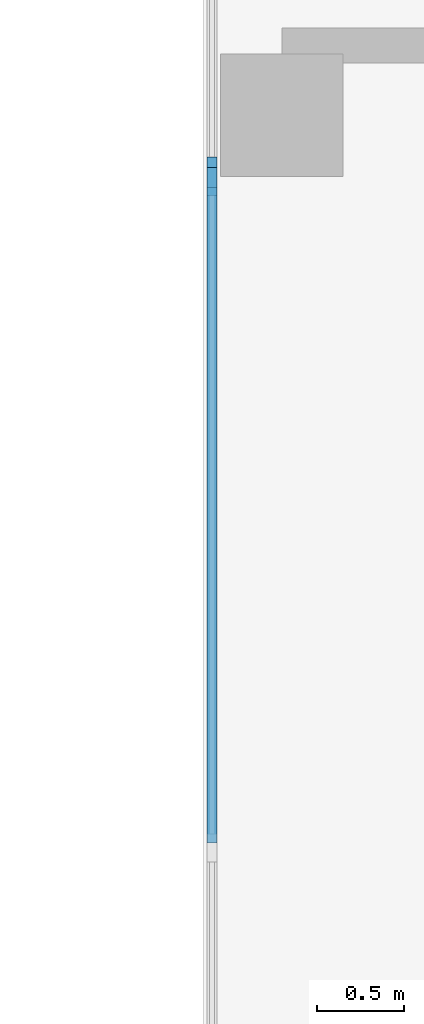
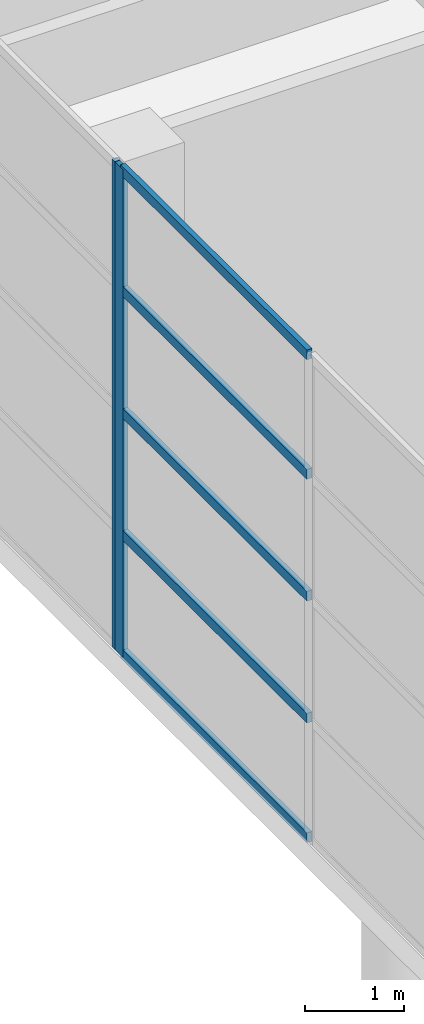
# One storey, part 30 of 210: 7 members, 2 elements without a shape of their own.
"""IFC4 building model written with IfcOpenShell, lengths in metres."""

import ifcopenshell
import ifcopenshell.guid

model = None  # the IFC model being written
_history = None  # IfcOwnerHistory: only IFC2X3 demands one
_inside = {}  # id of a spatial element -> (the spatial element, [elements in it])
_under = {}  # id of a project, library or spatial element -> (it, [spatial elements below it])
_declared = {}  # id of a project -> (the project, [libraries it declares])
_typed = {}  # id of a type object -> (the type object, [elements of that type])
_made_of = {}  # id of a material, layer set ... -> (it, [elements and type objects made of it])


def new_model(schema):
    """Start an empty IFC model of exactly this schema.

    Asked for "IFC4X3", IfcOpenShell would pick the latest addendum, in which some entities
    have other attributes; the version numbers below select the first issue.
    IFC2X3 requires an IfcOwnerHistory on every rooted entity: one is made here for all.
    """
    global model, _history
    if schema == "IFC4X3":
        model = ifcopenshell.file(schema_version=(4, 3, 0, 0))
    else:
        model = ifcopenshell.file(schema=schema)
    _inside.clear()
    _under.clear()
    _declared.clear()
    _typed.clear()
    _made_of.clear()
    _history = None
    if model.schema == "IFC2X3":
        org = make("IfcOrganization", Name="unknown")
        user = make(
            "IfcPersonAndOrganization",
            ThePerson=make("IfcPerson", FamilyName="unknown"),
            TheOrganization=org,
        )
        app = make(
            "IfcApplication",
            ApplicationDeveloper=org,
            Version="unknown",
            ApplicationFullName="unknown",
            ApplicationIdentifier="unknown",
        )
        _history = make(
            "IfcOwnerHistory",
            OwningUser=user,
            OwningApplication=app,
            ChangeAction="ADDED",
            CreationDate=0,
        )
    return model


def make(cls, **values):
    """One entity of the class cls with the attributes given. An attribute that is None is left unset."""
    return model.create_entity(
        cls, **{name: value for name, value in values.items() if value is not None}
    )


def rooted(cls, **values):
    """An entity with a GlobalId (a new one), such as an element, a storey or a relation."""
    return make(cls, GlobalId=ifcopenshell.guid.new(), OwnerHistory=_history, **values)


def si_unit(unit_type, name, prefix=None):
    """IfcSIUnit, for example si_unit("LENGTHUNIT", "METRE", prefix="MILLI")."""
    return make("IfcSIUnit", UnitType=unit_type, Prefix=prefix, Name=name)


def assignment(units):
    """IfcUnitAssignment: the units of a project."""
    return None if units is None else make("IfcUnitAssignment", Units=units)


def point(xyz):
    """IfcCartesianPoint."""
    return None if xyz is None else make("IfcCartesianPoint", Coordinates=xyz)


def direction(xyz):
    """IfcDirection."""
    return None if xyz is None else make("IfcDirection", DirectionRatios=xyz)


def frame(location, z_axis=None, x_axis=None):
    """IfcAxis2Placement3D, a coordinate frame: its origin and axes. An axis left out is left unset."""
    return make(
        "IfcAxis2Placement3D",
        Location=point(location),
        Axis=direction(z_axis),
        RefDirection=direction(x_axis),
    )


def frame_2d(location, x_axis=None):
    """IfcAxis2Placement2D, a coordinate frame in the plane: its origin and x axis."""
    return make(
        "IfcAxis2Placement2D", Location=point(location), RefDirection=direction(x_axis)
    )


def origin():
    """The frame at (0, 0, 0) with its axes left unset."""
    return frame((0.0, 0.0, 0.0))


def origin_2d():
    """The frame at (0, 0) in the plane with its x axis left unset."""
    return frame_2d((0.0, 0.0))


def place(relative_to, where):
    """IfcLocalPlacement: puts the frame where relative to a parent placement (None: the world)."""
    return make(
        "IfcLocalPlacement", PlacementRelTo=relative_to, RelativePlacement=where
    )


def context(
    kind, dimensions, precision=None, world=None, true_north=None, identifier=None
):
    """IfcGeometricRepresentationContext, for example the 3D "Model" context."""
    return make(
        "IfcGeometricRepresentationContext",
        ContextIdentifier=identifier,
        ContextType=kind,
        CoordinateSpaceDimension=dimensions,
        Precision=precision,
        WorldCoordinateSystem=world,
        TrueNorth=true_north,
    )


def subcontext(parent, identifier, kind, view, scale=None):
    """IfcGeometricRepresentationSubContext, for example "Body" below "Model"."""
    return make(
        "IfcGeometricRepresentationSubContext",
        ContextIdentifier=identifier,
        ContextType=kind,
        ParentContext=parent,
        TargetScale=scale,
        TargetView=view,
    )


def project(units=None, contexts=None):
    """IfcProject with its units and contexts."""
    return rooted(
        "IfcProject",
        Name="project",
        RepresentationContexts=contexts,
        UnitsInContext=assignment(units),
    )


def spatial(cls, under=None, at=None, **own):
    """A site, building, storey or space (cls), placed at a placement, below another one or the project."""
    s = rooted(cls, ObjectPlacement=at, **own)
    if under is not None:
        _under.setdefault(under.id(), (under, []))[1].append(s)
    return s


def profile(cls, at=None, kind="AREA", **sizes):
    """A parametric profile (cls). Its sizes go by their IFC names, for example OverallWidth=200.0."""
    return make(cls, ProfileType=kind, Position=at, **sizes)


def rectangle(**sizes):
    """IfcRectangleProfileDef."""
    return profile("IfcRectangleProfileDef", **sizes)


def extrude(swept, where, along, depth):
    """IfcExtrudedAreaSolid: the profile swept, set in the frame where, extruded along a direction by depth."""
    return make(
        "IfcExtrudedAreaSolid",
        SweptArea=swept,
        Position=where,
        ExtrudedDirection=direction(along),
        Depth=depth,
    )


def shape(context_of_items, identifier, shape_type, items):
    """IfcShapeRepresentation: the items that make up one representation, for example the "Body"."""
    return make(
        "IfcShapeRepresentation",
        ContextOfItems=context_of_items,
        RepresentationIdentifier=identifier,
        RepresentationType=shape_type,
        Items=items,
    )


def material(Name=None, Category=None):
    """IfcMaterial."""
    return make("IfcMaterial", Name=Name, Category=Category)


def layer(
    of_material, thickness, ventilated=None, Name=None, Category=None, Priority=None
):
    """IfcMaterialLayer: one layer of a wall or slab, of a material (None: an air gap)."""
    return make(
        "IfcMaterialLayer",
        Material=of_material,
        LayerThickness=thickness,
        IsVentilated=ventilated,
        Name=Name,
        Category=Category,
        Priority=Priority,
    )


def layer_set(layers, Name=None):
    """IfcMaterialLayerSet."""
    return make("IfcMaterialLayerSet", MaterialLayers=layers, LayerSetName=Name)


def material_profile(
    of_material, cross_section, Name=None, Category=None, Priority=None
):
    """IfcMaterialProfile: a cross section and its material."""
    return make(
        "IfcMaterialProfile",
        Name=Name,
        Material=of_material,
        Profile=cross_section,
        Priority=Priority,
        Category=Category,
    )


def profile_set(profiles, Name=None, composite=None):
    """IfcMaterialProfileSet."""
    return make(
        "IfcMaterialProfileSet",
        Name=Name,
        MaterialProfiles=profiles,
        CompositeProfile=composite,
    )


def made_of(thing, what):
    """Note that an element or type object is made of a material, layer set ...; save() writes the relation."""
    if what is not None:
        _made_of.setdefault(what.id(), (what, []))[1].append(thing)
    return thing


def type_object(cls, material=None, **own):
    """A type object (cls), such as IfcWallType, which elements share."""
    return made_of(rooted(cls, **own), material)


def element(
    cls,
    number,
    at=None,
    inside=None,
    cuts=None,
    type_object=None,
    material=None,
    context=None,
    identifier="Body",
    shape_type=None,
    held_by="IfcProductDefinitionShape",
    body=None,
    shapes=None,
    **own,
):
    """One element of the class cls, such as IfcWall. Its Tag is "e" and its number.

    at: its placement. inside: the storey or other place that contains it. cuts: it is an
    opening in that element (IfcRelVoidsElement). A single representation is given by context,
    identifier, shape_type and body (its items); several are given by shapes. held_by: the class
    of the entity that holds the representations. save() writes the other relations.
    """
    e = rooted(cls, Tag="e%d" % number, ObjectPlacement=at, **own)
    if body is not None:
        shapes = [shape(context, identifier, shape_type, body)]
    if shapes is not None:
        e.Representation = make(held_by, Representations=shapes)
    if inside is not None:
        _inside.setdefault(inside.id(), (inside, []))[1].append(e)
    if cuts is not None:
        rooted(
            "IfcRelVoidsElement", RelatingBuildingElement=cuts, RelatedOpeningElement=e
        )
    if type_object is not None:
        _typed.setdefault(type_object.id(), (type_object, []))[1].append(e)
    return made_of(e, material)


def aggregate(whole, parts):
    """IfcRelAggregates: a whole, such as a stair, and the parts it consists of."""
    return rooted("IfcRelAggregates", RelatingObject=whole, RelatedObjects=parts)


def save(model, path):
    """Write the relations noted so far, then the file.

    IfcRelAggregates (storeys below a building ...), IfcRelContainedInSpatialStructure (elements
    in a storey), IfcRelDefinesByType, IfcRelAssociatesMaterial and IfcRelDeclares: one each for
    every whole, place, type object, material and project.
    """
    for whole, parts in _under.values():
        aggregate(whole, parts)
    for where, things in _inside.values():
        rooted(
            "IfcRelContainedInSpatialStructure",
            RelatedElements=things,
            RelatingStructure=where,
        )
    for kind, things in _typed.values():
        rooted("IfcRelDefinesByType", RelatedObjects=things, RelatingType=kind)
    for what, things in _made_of.values():
        rooted("IfcRelAssociatesMaterial", RelatedObjects=things, RelatingMaterial=what)
    for by, libraries in _declared.values():
        rooted("IfcRelDeclares", RelatingContext=by, RelatedDefinitions=libraries)
    model.write(path)


model = new_model("IFC4")

# Units and contexts
model_context = context("Model", 3, precision=1e-05, world=origin(), true_north=direction((0.0, 1.0)))
body_context = subcontext(model_context, "Body", "Model", "MODEL_VIEW")
ifc_project = project(units=[si_unit("LENGTHUNIT", "METRE"), si_unit("AREAUNIT", "SQUARE_METRE"), si_unit("VOLUMEUNIT", "CUBIC_METRE"), si_unit("PLANEANGLEUNIT", "RADIAN"), si_unit("MASSUNIT", "GRAM", prefix="KILO")], contexts=[model_context])

# Site, building, storey
site_placement = place(None, origin())
site = spatial("IfcSite", under=ifc_project, at=site_placement, CompositionType="ELEMENT")
building_placement = place(site_placement, origin())
building = spatial("IfcBuilding", under=site, at=building_placement, Name="Rain Tree Exposition and Congress Centre", CompositionType="ELEMENT")
storey_placement = place(building_placement, origin())
storey = spatial("IfcBuildingStorey", under=building, at=storey_placement, Name="L00", CompositionType="ELEMENT", Elevation=0.0)

# Curtain wall, member
ifc_material_1 = material(Name="Aluminium curtain wall system", Category="aluminium")
ifc_layer = layer(ifc_material_1, 0.10009765625)
ifc_layer_set = layer_set([ifc_layer], Name="Aluminium curtain wall system")
curtain_wall_type = type_object("IfcCurtainWallType", Name="Concourse curtain wall 4200 module", PredefinedType="NOTDEFINED", material=ifc_layer_set)
curtain_wall_1_placement = place(storey_placement, origin())
curtain_wall_1 = element("IfcCurtainWall", 1, at=curtain_wall_1_placement, inside=storey, type_object=curtain_wall_type, Name="Concourse curtain wall CWC30", PredefinedType="NOTDEFINED")
ifc_material_2 = material(Name="Aluminium mullion", Category="aluminium")
ifc_material_profile_1 = material_profile(ifc_material_2, rectangle(XDim=0.06005859375, YDim=0.159912109375, at=origin_2d()), Name="AL 60x160")
ifc_profile_set_1 = profile_set([ifc_material_profile_1], Name="Aluminium mullion")
member_type_1 = type_object("IfcMemberType", Name="Concourse curtain wall mullion 60x160", PredefinedType="MULLION", material=ifc_profile_set_1)
member_1_placement = place(storey_placement, frame((-0.39990234375, 92.02001953125, 0.0), z_axis=(0.0, 0.0, 1.0), x_axis=(-1.0, 0.0, 0.0)))
member_1 = element("IfcMember", 2, at=member_1_placement, type_object=member_type_1, Name="CWC30 mullion 3", PredefinedType="MULLION", context=body_context, shape_type="SweptSolid", body=[
    extrude(rectangle(XDim=0.06005859375, YDim=0.159912109375, at=origin_2d()), origin(), (0.0, 0.0, 1.0), 6.0),
])

curtain_wall_2_placement = place(storey_placement, origin())
curtain_wall_2 = element("IfcCurtainWall", 3, at=curtain_wall_2_placement, inside=storey, type_object=curtain_wall_type, Name="Concourse curtain wall CWC31", PredefinedType="NOTDEFINED")
member_2_placement = place(storey_placement, frame((-0.39990234375, 92.080078125, 0.0), z_axis=(0.0, 0.0, 1.0), x_axis=(-1.0, 0.0, 0.0)))
member_2 = element("IfcMember", 4, at=member_2_placement, type_object=member_type_1, Name="CWC31 mullion 1", PredefinedType="MULLION", context=body_context, shape_type="SweptSolid", body=[
    extrude(rectangle(XDim=0.06005859375, YDim=0.159912109375, at=origin_2d()), origin(), (0.0, 0.0, 1.0), 6.0),
])
aggregate(curtain_wall_2, [member_2])

# Member
ifc_material_3 = material(Name="Aluminium transom", Category="aluminium")
ifc_material_profile_2 = material_profile(ifc_material_3, rectangle(XDim=0.06005859375, YDim=0.1201171875, at=origin_2d()), Name="AL 60x120")
ifc_profile_set_2 = profile_set([ifc_material_profile_2], Name="Aluminium transom")
member_type_2 = type_object("IfcMemberType", Name="Concourse curtain wall transom 60x120", PredefinedType="USERDEFINED", material=ifc_profile_set_2)
member_3_placement = place(storey_placement, frame((-0.39990234375, 88.22998046875, 0.030029296875), z_axis=(0.0, 1.0, 0.0), x_axis=(-1.0, 0.0, 0.0)))
member_3 = element("IfcMember", 5, at=member_3_placement, type_object=member_type_2, Name="CWC30 transom 2.1", ObjectType="TRANSOM", PredefinedType="USERDEFINED", context=body_context, shape_type="SweptSolid", body=[
    extrude(rectangle(XDim=0.06005859375, YDim=0.1201171875, at=origin_2d()), origin(), (0.0, 0.0, 1.0), 3.760009765625),
])

member_4_placement = place(storey_placement, frame((-0.39990234375, 88.22998046875, 1.5), z_axis=(0.0, 1.0, 0.0), x_axis=(-1.0, 0.0, 0.0)))
member_4 = element("IfcMember", 6, at=member_4_placement, type_object=member_type_2, Name="CWC30 transom 2.2", ObjectType="TRANSOM", PredefinedType="USERDEFINED", context=body_context, shape_type="SweptSolid", body=[
    extrude(rectangle(XDim=0.06005859375, YDim=0.1201171875, at=origin_2d()), origin(), (0.0, 0.0, 1.0), 3.760009765625),
])

member_5_placement = place(storey_placement, frame((-0.39990234375, 88.22998046875, 3.0), z_axis=(0.0, 1.0, 0.0), x_axis=(-1.0, 0.0, 0.0)))
member_5 = element("IfcMember", 7, at=member_5_placement, type_object=member_type_2, Name="CWC30 transom 2.3", ObjectType="TRANSOM", PredefinedType="USERDEFINED", context=body_context, shape_type="SweptSolid", body=[
    extrude(rectangle(XDim=0.06005859375, YDim=0.1201171875, at=origin_2d()), origin(), (0.0, 0.0, 1.0), 3.760009765625),
])

member_6_placement = place(storey_placement, frame((-0.39990234375, 88.22998046875, 4.5), z_axis=(0.0, 1.0, 0.0), x_axis=(-1.0, 0.0, 0.0)))
member_6 = element("IfcMember", 8, at=member_6_placement, type_object=member_type_2, Name="CWC30 transom 2.4", ObjectType="TRANSOM", PredefinedType="USERDEFINED", context=body_context, shape_type="SweptSolid", body=[
    extrude(rectangle(XDim=0.06005859375, YDim=0.1201171875, at=origin_2d()), origin(), (0.0, 0.0, 1.0), 3.760009765625),
])

member_7_placement = place(storey_placement, frame((-0.39990234375, 88.22998046875, 5.969970703125), z_axis=(0.0, 1.0, 0.0), x_axis=(-1.0, 0.0, 0.0)))
member_7 = element("IfcMember", 9, at=member_7_placement, type_object=member_type_2, Name="CWC30 transom 2.5", ObjectType="TRANSOM", PredefinedType="USERDEFINED", context=body_context, shape_type="SweptSolid", body=[
    extrude(rectangle(XDim=0.06005859375, YDim=0.1201171875, at=origin_2d()), origin(), (0.0, 0.0, 1.0), 3.760009765625),
])

aggregate(curtain_wall_1, [member_1, member_3, member_4, member_5, member_6, member_7])

save(model, "model.ifc")
